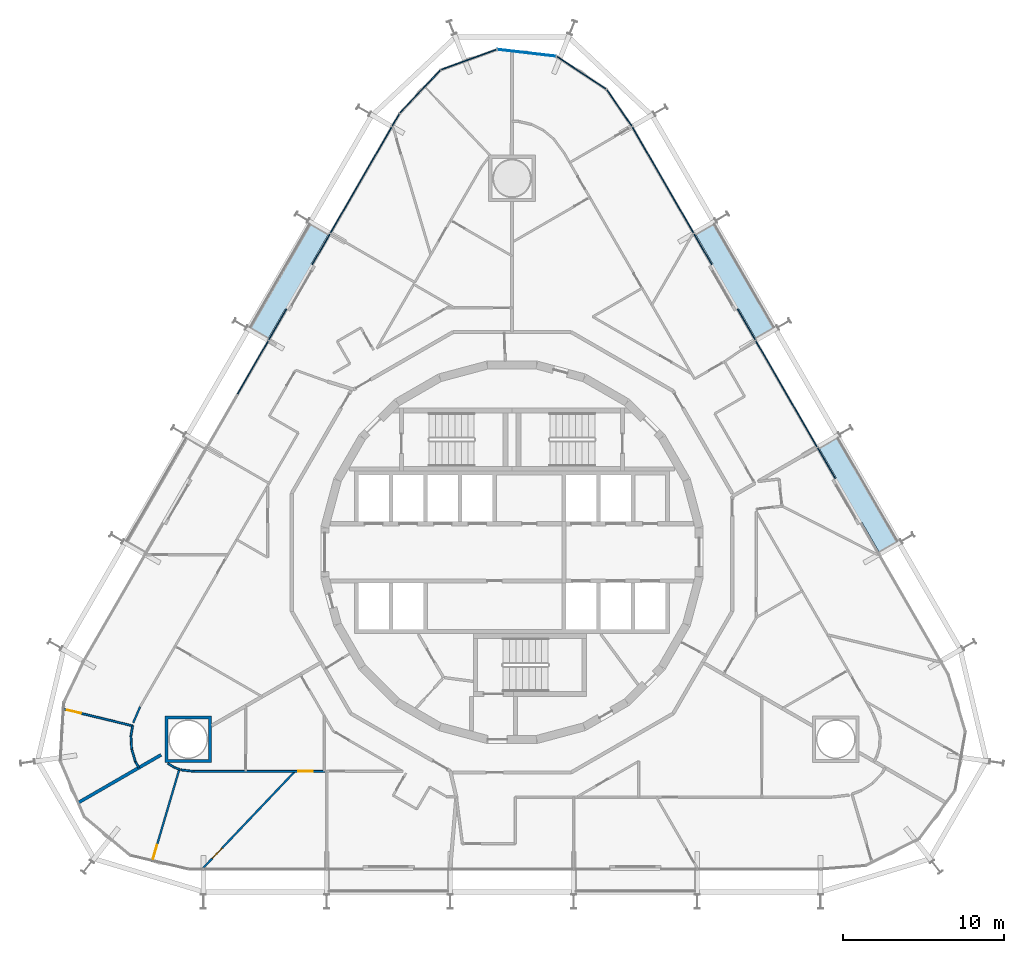
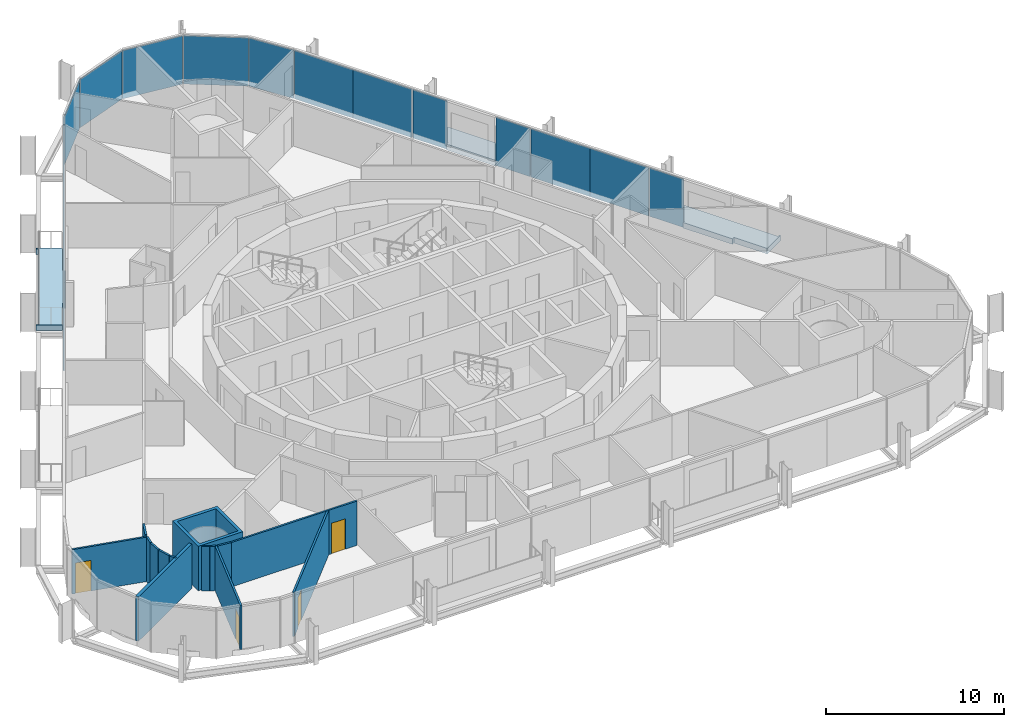
# One storey, part 12 of 20: 18 plates, 14 walls, 4 doors, 3 slabs, 4 openings, 3 elements without a shape of their own.
"""IFC4 building model written with IfcOpenShell, lengths in metres."""

from ifc_helpers import new_model, si_unit, direction, frame, frame_2d, origin, origin_2d, place, context, subcontext, project, spatial, polyline, rectangle, outline, extrude, material, layer, layer_set, type_object, element, fill, aggregate, save


model = new_model("IFC4")

# Units and contexts
model_context = context("Model", 3, precision=1e-05, world=origin(), true_north=direction((0.0, 1.0)))
body_context = subcontext(model_context, "Body", "Model", "MODEL_VIEW")
ifc_project = project(units=[si_unit("LENGTHUNIT", "METRE"), si_unit("AREAUNIT", "SQUARE_METRE"), si_unit("VOLUMEUNIT", "CUBIC_METRE"), si_unit("PLANEANGLEUNIT", "RADIAN"), si_unit("MASSUNIT", "GRAM", prefix="KILO")], contexts=[model_context])

# Site, building, storey
site_placement = place(None, origin())
site = spatial("IfcSite", under=ifc_project, at=site_placement, CompositionType="ELEMENT")
building_placement = place(site_placement, origin())
building = spatial("IfcBuilding", under=site, at=building_placement, Name="Spindle Arch Residences", CompositionType="ELEMENT")
storey_placement = place(building_placement, frame((0.0, 0.0, 66.39990234375)))
storey = spatial("IfcBuildingStorey", under=building, at=storey_placement, Name="L15", CompositionType="ELEMENT", Elevation=66.39990234375)

# Slabs
ifc_material_1 = material(Name="Concrete C40/50", Category="concrete")
ifc_layer_1 = layer(ifc_material_1, 0.3798828125)
ifc_layer_set_1 = layer_set([ifc_layer_1], Name="Balcony slab 380")
slab_type = type_object("IfcSlabType", Name="Balcony slab 380", PredefinedType="FLOOR", material=ifc_layer_set_1)
slab_1_placement = place(storey_placement, frame((0.0, 0.0, -0.3798828125)))
element("IfcSlab", 1, at=slab_1_placement, inside=storey, type_object=slab_type, Name="Balcony L15 bay 7", PredefinedType="FLOOR", context=body_context, shape_type="SweptSolid", body=[
    extrude(outline(polyline([(24.151611328125, 0.728271484375), (24.114013671875, 0.793212890625), (23.984130859375, 0.71826171875), (20.2939453125, 7.109375), (20.424072265625, 7.1845703125), (20.386474609375, 7.24951171875), (19.09619140625, 6.50439453125), (20.1787109375, 4.62939453125), (20.0400390625, 4.549560546875), (21.64013671875, 1.778076171875), (21.778564453125, 1.858154296875), (22.861083984375, -0.016845703125), (24.151611328125, 0.728271484375)])), origin(), (0.0, 0.0, 1.0), 0.3798828125),
])
slab_2_placement = place(storey_placement, frame((0.0, 0.0, -0.3798828125)))
element("IfcSlab", 2, at=slab_2_placement, inside=storey, type_object=slab_type, Name="Balcony L15 bay 9", PredefinedType="FLOOR", context=body_context, shape_type="SweptSolid", body=[
    extrude(outline(polyline([(16.471435546875, 14.030517578125), (16.433837890625, 14.095458984375), (16.303955078125, 14.0205078125), (12.614013671875, 20.411865234375), (12.743896484375, 20.48681640625), (12.706298828125, 20.5517578125), (11.416015625, 19.806640625), (12.49853515625, 17.931640625), (12.35986328125, 17.851806640625), (13.9599609375, 15.08056640625), (14.0986328125, 15.160400390625), (15.18115234375, 13.285400390625), (16.471435546875, 14.030517578125)])), origin(), (0.0, 0.0, 1.0), 0.3798828125),
])
slab_3_placement = place(storey_placement, frame((0.0, 0.0, -0.3798828125)))
element("IfcSlab", 3, at=slab_3_placement, inside=storey, type_object=slab_type, Name="Balcony L15 bay 15", PredefinedType="FLOOR", context=body_context, shape_type="SweptSolid", body=[
    extrude(outline(polyline([(-12.706298828125, 20.5517578125), (-12.743896484375, 20.48681640625), (-12.614013671875, 20.411865234375), (-16.303955078125, 14.0205078125), (-16.433837890625, 14.095458984375), (-16.471435546875, 14.030517578125), (-15.18115234375, 13.285400390625), (-14.0986328125, 15.160400390625), (-13.9599609375, 15.08056640625), (-12.35986328125, 17.851806640625), (-12.49853515625, 17.931640625), (-11.416015625, 19.806640625), (-12.706298828125, 20.5517578125)])), origin(), (0.0, 0.0, 1.0), 0.3798828125),
])

# Curtain wall, plates
ifc_material_2 = material(Name="Aluminium bronze unitised frame with tinted glass", Category="aluminium")
ifc_layer_2 = layer(ifc_material_2, 0.159912109375)
ifc_layer_set_2 = layer_set([ifc_layer_2], Name="CW-C typical residential unitised wall")
curtain_wall_type_1 = type_object("IfcCurtainWallType", Name="CW-C typical residential unitised wall", PredefinedType="NOTDEFINED", material=ifc_layer_set_2)
curtain_wall_1_placement = place(storey_placement, origin())
curtain_wall_1 = element("IfcCurtainWall", 4, at=curtain_wall_1_placement, inside=storey, type_object=curtain_wall_type_1, Name="CW-C L15 run 2", PredefinedType="NOTDEFINED")
ifc_material_3 = material(Name="Tinted double glazing over aluminium faced non-combustible spandrel zone (K0)", Category="aluminium")
ifc_layer_3 = layer(ifc_material_3, 0.06005859375)
ifc_layer_set_3 = layer_set([ifc_layer_3], Name="Unitised glass panel with E 60 spandrel zone")
plate_type = type_object("IfcPlateType", Name="Unitised glass panel with E 60 spandrel zone", PredefinedType="CURTAIN_PANEL", material=ifc_layer_set_3)
plate_1_placement = place(storey_placement, frame((19.556884765625, 5.54638671875, -0.3798828125), z_axis=(0.0, 0.0, 1.0), x_axis=(-0.5, 0.866025403784, 0.0)))
plate_1 = element("IfcPlate", 5, at=plate_1_placement, type_object=plate_type, Name="CW-C unit 06R", PredefinedType="CURTAIN_PANEL", context=body_context, shape_type="SweptSolid", body=[
    extrude(rectangle(XDim=2.2099609375, YDim=0.06005859375, at=origin_2d()), origin(), (0.0, 0.0, 1.0), 3.31005859375),
])
plate_2_placement = place(storey_placement, frame((18.021728515625, 8.205078125, -0.3798828125), z_axis=(0.0, 0.0, 1.0), x_axis=(-0.5, 0.866025403784, 0.0)))
plate_2 = element("IfcPlate", 6, at=plate_2_placement, type_object=plate_type, Name="CW-C unit 07A", PredefinedType="CURTAIN_PANEL", context=body_context, shape_type="SweptSolid", body=[
    extrude(rectangle(XDim=3.81005859375, YDim=0.06005859375, at=origin_2d()), origin(), (0.0, 0.0, 1.0), 3.31005859375),
])
plate_3_placement = place(storey_placement, frame((16.11669921875, 11.504638671875, -0.3798828125), z_axis=(0.0, 0.0, 1.0), x_axis=(-0.5, 0.866025403784, 0.0)))
plate_3 = element("IfcPlate", 7, at=plate_3_placement, type_object=plate_type, Name="CW-C unit 07B", PredefinedType="CURTAIN_PANEL", context=body_context, shape_type="SweptSolid", body=[
    extrude(rectangle(XDim=3.81005859375, YDim=0.06005859375, at=origin_2d()), origin(), (0.0, 0.0, 1.0), 3.31005859375),
])
plate_4_placement = place(storey_placement, frame((14.581787109375, 14.16357421875, -0.3798828125), z_axis=(0.0, 0.0, 1.0), x_axis=(-0.5, 0.866025403784, 0.0)))
plate_4 = element("IfcPlate", 8, at=plate_4_placement, type_object=plate_type, Name="CW-C unit 08L", PredefinedType="CURTAIN_PANEL", context=body_context, shape_type="SweptSolid", body=[
    extrude(rectangle(XDim=2.2099609375, YDim=0.06005859375, at=origin_2d()), origin(), (0.0, 0.0, 1.0), 3.31005859375),
])
plate_5_placement = place(storey_placement, frame((11.876708984375, 18.8486328125, -0.3798828125), z_axis=(0.0, 0.0, 1.0), x_axis=(-0.5, 0.866025403784, 0.0)))
plate_5 = element("IfcPlate", 9, at=plate_5_placement, type_object=plate_type, Name="CW-C unit 08R", PredefinedType="CURTAIN_PANEL", context=body_context, shape_type="SweptSolid", body=[
    extrude(rectangle(XDim=2.2099609375, YDim=0.06005859375, at=origin_2d()), origin(), (0.0, 0.0, 1.0), 3.31005859375),
])
plate_6_placement = place(storey_placement, frame((10.341796875, 21.50732421875, -0.3798828125), z_axis=(0.0, 0.0, 1.0), x_axis=(-0.5, 0.866025403784, 0.0)))
plate_6 = element("IfcPlate", 10, at=plate_6_placement, type_object=plate_type, Name="CW-C unit 09A", PredefinedType="CURTAIN_PANEL", context=body_context, shape_type="SweptSolid", body=[
    extrude(rectangle(XDim=3.81005859375, YDim=0.06005859375, at=origin_2d()), origin(), (0.0, 0.0, 1.0), 3.31005859375),
])
plate_7_placement = place(storey_placement, frame((8.436767578125, 24.80712890625, -0.3798828125), z_axis=(0.0, 0.0, 1.0), x_axis=(-0.5, 0.866025403784, 0.0)))
plate_7 = element("IfcPlate", 11, at=plate_7_placement, type_object=plate_type, Name="CW-C unit 09B", PredefinedType="CURTAIN_PANEL", context=body_context, shape_type="SweptSolid", body=[
    extrude(rectangle(XDim=3.81005859375, YDim=0.06005859375, at=origin_2d()), origin(), (0.0, 0.0, 1.0), 3.31005859375),
])
aggregate(curtain_wall_1, [plate_1, plate_2, plate_3, plate_4, plate_5, plate_6, plate_7])

ifc_material_4 = material(Name="Aluminium bronze unitised frame with tinted glass", Category="aluminium")
ifc_layer_4 = layer(ifc_material_4, 0.159912109375)
ifc_layer_set_4 = layer_set([ifc_layer_4], Name="CW-D corner wall on the fillet arcs")
curtain_wall_type_2 = type_object("IfcCurtainWallType", Name="CW-D corner wall on the fillet arcs", PredefinedType="NOTDEFINED", material=ifc_layer_set_4)
curtain_wall_2_placement = place(storey_placement, origin())
curtain_wall_2 = element("IfcCurtainWall", 12, at=curtain_wall_2_placement, inside=storey, type_object=curtain_wall_type_2, Name="CW-D L15 run 3", PredefinedType="NOTDEFINED")
plate_8_placement = place(storey_placement, frame((6.673095703125, 27.643798828125, -0.3798828125), z_axis=(0.0, 0.0, 1.0), x_axis=(-0.565500718711, 0.824747802142, 0.0)))
plate_8 = element("IfcPlate", 13, at=plate_8_placement, type_object=plate_type, Name="CW-D unit 00", PredefinedType="CURTAIN_PANEL", context=body_context, shape_type="SweptSolid", body=[
    extrude(rectangle(XDim=2.755126953125, YDim=0.06005859375, at=origin_2d()), origin(), (0.0, 0.0, 1.0), 3.31005859375),
])
plate_9_placement = place(storey_placement, frame((4.3203125, 29.82861328125, -0.3798828125), z_axis=(0.0, 0.0, 1.0), x_axis=(-0.835487811704, 0.549508977628, 0.0)))
plate_9 = element("IfcPlate", 14, at=plate_9_placement, type_object=plate_type, Name="CW-D unit 01", PredefinedType="CURTAIN_PANEL", context=body_context, shape_type="SweptSolid", body=[
    extrude(rectangle(XDim=3.666748046875, YDim=0.06005859375, at=origin_2d()), origin(), (0.0, 0.0, 1.0), 3.31005859375),
])
plate_10_placement = place(storey_placement, frame((0.912841796875, 31.06884765625, -0.3798828125), z_axis=(0.0, 0.0, 1.0), x_axis=(-0.993238357591, 0.116092915414, 0.0)))
plate_10 = element("IfcPlate", 15, at=plate_10_placement, type_object=plate_type, Name="CW-D unit 02", PredefinedType="CURTAIN_PANEL", context=body_context, shape_type="SweptSolid", body=[
    extrude(rectangle(XDim=3.666748046875, YDim=0.06005859375, at=origin_2d()), origin(), (0.0, 0.0, 1.0), 3.31005859375),
])
plate_11_placement = place(storey_placement, frame((-2.68896484375, 30.64794921875, -0.3798828125), z_axis=(0.0, 0.0, 1.0), x_axis=(-0.939692621437, -0.342020141538, 0.0)))
plate_11 = element("IfcPlate", 16, at=plate_11_placement, type_object=plate_type, Name="CW-D unit 03", PredefinedType="CURTAIN_PANEL", context=body_context, shape_type="SweptSolid", body=[
    extrude(rectangle(XDim=3.666748046875, YDim=0.06005859375, at=origin_2d()), origin(), (0.0, 0.0, 1.0), 3.31005859375),
])
plate_12_placement = place(storey_placement, frame((-5.71875, 28.6552734375, -0.3798828125), z_axis=(0.0, 0.0, 1.0), x_axis=(-0.686241639236, -0.727373640284, 0.0)))
plate_12 = element("IfcPlate", 17, at=plate_12_placement, type_object=plate_type, Name="CW-D unit 04", PredefinedType="CURTAIN_PANEL", context=body_context, shape_type="SweptSolid", body=[
    extrude(rectangle(XDim=3.666748046875, YDim=0.06005859375, at=origin_2d()), origin(), (0.0, 0.0, 1.0), 3.31005859375),
])
plate_13_placement = place(storey_placement, frame((-7.2333984375, 26.891357421875, -0.3798828125), z_axis=(0.0, 0.0, 1.0), x_axis=(-0.5, -0.866025403784, 0.0)))
plate_13 = element("IfcPlate", 18, at=plate_13_placement, type_object=plate_type, Name="CW-D unit 05", PredefinedType="CURTAIN_PANEL", context=body_context, shape_type="SweptSolid", body=[
    extrude(rectangle(XDim=0.88330078125, YDim=0.06005859375, at=origin_2d()), origin(), (0.0, 0.0, 1.0), 3.31005859375),
])
aggregate(curtain_wall_2, [plate_8, plate_9, plate_10, plate_11, plate_12, plate_13])

curtain_wall_3_placement = place(storey_placement, origin())
curtain_wall_3 = element("IfcCurtainWall", 19, at=curtain_wall_3_placement, inside=storey, type_object=curtain_wall_type_1, Name="CW-C L15 run 4", PredefinedType="NOTDEFINED")
plate_14_placement = place(storey_placement, frame((-8.436767578125, 24.80712890625, -0.3798828125), z_axis=(0.0, 0.0, 1.0), x_axis=(-0.5, -0.866025403784, 0.0)))
plate_14 = element("IfcPlate", 20, at=plate_14_placement, type_object=plate_type, Name="CW-C unit 13A", PredefinedType="CURTAIN_PANEL", context=body_context, shape_type="SweptSolid", body=[
    extrude(rectangle(XDim=3.81005859375, YDim=0.06005859375, at=origin_2d()), origin(), (0.0, 0.0, 1.0), 3.31005859375),
])
plate_15_placement = place(storey_placement, frame((-10.341796875, 21.50732421875, -0.3798828125), z_axis=(0.0, 0.0, 1.0), x_axis=(-0.5, -0.866025403784, 0.0)))
plate_15 = element("IfcPlate", 21, at=plate_15_placement, type_object=plate_type, Name="CW-C unit 13B", PredefinedType="CURTAIN_PANEL", context=body_context, shape_type="SweptSolid", body=[
    extrude(rectangle(XDim=3.81005859375, YDim=0.06005859375, at=origin_2d()), origin(), (0.0, 0.0, 1.0), 3.31005859375),
])
plate_16_placement = place(storey_placement, frame((-11.876708984375, 18.8486328125, -0.3798828125), z_axis=(0.0, 0.0, 1.0), x_axis=(-0.5, -0.866025403784, 0.0)))
plate_16 = element("IfcPlate", 22, at=plate_16_placement, type_object=plate_type, Name="CW-C unit 14L", PredefinedType="CURTAIN_PANEL", context=body_context, shape_type="SweptSolid", body=[
    extrude(rectangle(XDim=2.2099609375, YDim=0.06005859375, at=origin_2d()), origin(), (0.0, 0.0, 1.0), 3.31005859375),
])
plate_17_placement = place(storey_placement, frame((-14.581787109375, 14.16357421875, -0.3798828125), z_axis=(0.0, 0.0, 1.0), x_axis=(-0.5, -0.866025403784, 0.0)))
plate_17 = element("IfcPlate", 23, at=plate_17_placement, type_object=plate_type, Name="CW-C unit 14R", PredefinedType="CURTAIN_PANEL", context=body_context, shape_type="SweptSolid", body=[
    extrude(rectangle(XDim=2.2099609375, YDim=0.06005859375, at=origin_2d()), origin(), (0.0, 0.0, 1.0), 3.31005859375),
])
plate_18_placement = place(storey_placement, frame((-16.11669921875, 11.504638671875, -0.3798828125), z_axis=(0.0, 0.0, 1.0), x_axis=(-0.5, -0.866025403784, 0.0)))
plate_18 = element("IfcPlate", 24, at=plate_18_placement, type_object=plate_type, Name="CW-C unit 15A", PredefinedType="CURTAIN_PANEL", context=body_context, shape_type="SweptSolid", body=[
    extrude(rectangle(XDim=3.81005859375, YDim=0.06005859375, at=origin_2d()), origin(), (0.0, 0.0, 1.0), 3.31005859375),
])
aggregate(curtain_wall_3, [plate_14, plate_15, plate_16, plate_17, plate_18])

# Wall
ifc_material_5 = material(Name="Plasterboard on steel studs", Category="steel")
ifc_layer_5 = layer(ifc_material_5, 0.1201171875)
ifc_layer_set_5 = layer_set([ifc_layer_5], Name="Flat partition 120")
wall_type_1 = type_object("IfcWallType", Name="Flat partition 120", PredefinedType="PARTITIONING", material=ifc_layer_set_5)
wall_1_placement = place(storey_placement, frame((-23.563720703125, -10.60595703125, 0.0), z_axis=(0.0, 0.0, 1.0), x_axis=(0.396195073027, 0.918166359713, 0.0)))
element("IfcWall", 25, at=wall_1_placement, inside=storey, type_object=wall_type_1, Name="Flat partition R1C0-W073", PredefinedType="PARTITIONING", context=body_context, shape_type="SweptSolid", body=[
    extrude(rectangle(XDim=1.0869140625, YDim=0.1201171875, at=frame_2d((0.54345703125, 0.0))), origin(), (0.0, 0.0, 1.0), 3.050048828125),
])

# Wall, opening, door
wall_2_placement = place(storey_placement, frame((-27.8828125, -9.76220703125, 0.0), z_axis=(0.0, 0.0, 1.0), x_axis=(0.972097015458, -0.234579181809, 0.0)))
wall_2 = element("IfcWall", 26, at=wall_2_placement, inside=storey, type_object=wall_type_1, Name="Flat partition R1C0-W074", PredefinedType="PARTITIONING", context=body_context, shape_type="SweptSolid", body=[
    extrude(rectangle(XDim=4.40869140625, YDim=0.1201171875, at=frame_2d((2.204345703125, 0.0))), origin(), (0.0, 0.0, 1.0), 3.050048828125),
])
opening_1_placement = place(wall_2_placement, frame((0.199951171875, 0.0, 0.0)))
opening_1 = element("IfcOpeningElement", 27, at=opening_1_placement, cuts=wall_2, Name="Opening R1C0-ID16", PredefinedType="OPENING", context=body_context, shape_type="SweptSolid", body=[
    extrude(rectangle(XDim=0.89990234375, YDim=2.10009765625, at=frame_2d((0.449951171875, 1.050048828125))), frame((0.0, 0.070068359375, 0.0), z_axis=(0.0, -1.0, 0.0), x_axis=(1.0, 0.0, 0.0)), (0.0, 0.0, 1.0), 0.14013671875),
])
ifc_material_6 = material(Name="Timber door set", Category="wood")
door_type = type_object("IfcDoorType", Name="Room door 900x2100", OperationType="NOTDEFINED", PredefinedType="DOOR", material=ifc_material_6)
door_1_placement = place(opening_1_placement, origin())
door_1 = element("IfcDoor", 28, at=door_1_placement, inside=storey, type_object=door_type, Name="Room door R1C0-ID16", OperationType="SINGLE_SWING_RIGHT", OverallHeight=2.10009765625, OverallWidth=0.89990234375, PredefinedType="DOOR", context=body_context, shape_type="SweptSolid", body=[
    extrude(rectangle(XDim=0.89990234375, YDim=2.10009765625, at=frame_2d((0.449951171875, 1.050048828125))), frame((0.0, 0.02490234375, 0.0), z_axis=(0.0, -1.0, 0.0), x_axis=(1.0, 0.0, 0.0)), (0.0, 0.0, 1.0), 0.050048828125),
])
fill(opening_1, door_1)

# Walls
wall_3_placement = place(storey_placement, frame((-23.59716796875, -10.79638671875, 0.0), z_axis=(0.0, 0.0, 1.0), x_axis=(-0.173610040386, -0.984814476882, 0.0)))
element("IfcWall", 29, at=wall_3_placement, inside=storey, type_object=wall_type_1, Name="Flat partition R1C0-W075", PredefinedType="PARTITIONING", context=body_context, shape_type="SweptSolid", body=[
    extrude(rectangle(XDim=0.6357421875, YDim=0.1201171875, at=frame_2d((0.31787109375, 0.0))), origin(), (0.0, 0.0, 1.0), 3.050048828125),
])
wall_4_placement = place(storey_placement, frame((-23.70751953125, -11.42236328125, 0.0), z_axis=(0.0, 0.0, 1.0), x_axis=(0.058031280246, -0.998314765248, 0.0)))
element("IfcWall", 30, at=wall_4_placement, inside=storey, type_object=wall_type_1, Name="Flat partition R1C0-W076", PredefinedType="PARTITIONING", context=body_context, shape_type="SweptSolid", body=[
    extrude(rectangle(XDim=0.828857421875, YDim=0.1201171875, at=frame_2d((0.41455078125, 0.0))), origin(), (0.0, 0.0, 1.0), 3.050048828125),
])
wall_5_placement = place(storey_placement, frame((-23.659423828125, -12.249755859375, 0.0), z_axis=(0.0, 0.0, 1.0), x_axis=(0.286834510868, -0.957980147694, 0.0)))
element("IfcWall", 31, at=wall_5_placement, inside=storey, type_object=wall_type_1, Name="Flat partition R1C0-W077", PredefinedType="PARTITIONING", context=body_context, shape_type="SweptSolid", body=[
    extrude(rectangle(XDim=0.8291015625, YDim=0.1201171875, at=frame_2d((0.41455078125, 0.0))), origin(), (0.0, 0.0, 1.0), 3.050048828125),
])
wall_6_placement = place(storey_placement, frame((-23.421630859375, -13.0439453125, 0.0), z_axis=(0.0, 0.0, 1.0), x_axis=(0.50013037474, -0.865950118807, 0.0)))
element("IfcWall", 32, at=wall_6_placement, inside=storey, type_object=wall_type_1, Name="Flat partition R1C0-W078", PredefinedType="PARTITIONING", context=body_context, shape_type="SweptSolid", body=[
    extrude(rectangle(XDim=0.41455078125, YDim=0.1201171875, at=frame_2d((0.207275390625, 0.0))), origin(), (0.0, 0.0, 1.0), 3.050048828125),
])
wall_7_placement = place(storey_placement, frame((-20.657470703125, -13.513671875, 0.0), z_axis=(0.0, 0.0, 1.0), x_axis=(-0.939665068469, 0.34209583321, 0.0)))
element("IfcWall", 33, at=wall_7_placement, inside=storey, type_object=wall_type_1, Name="Flat partition R1C0-W086", PredefinedType="PARTITIONING", context=body_context, shape_type="SweptSolid", body=[
    extrude(rectangle(XDim=0.388916015625, YDim=0.1201171875, at=frame_2d((0.1943359375, 0.0))), origin(), (0.0, 0.0, 1.0), 3.050048828125),
])
wall_8_placement = place(storey_placement, frame((-21.02294921875, -13.380615234375, 0.0), z_axis=(0.0, 0.0, 1.0), x_axis=(-0.835339231854, 0.549734815821, 0.0)))
element("IfcWall", 34, at=wall_8_placement, inside=storey, type_object=wall_type_1, Name="Flat partition R1C0-W087", PredefinedType="PARTITIONING", context=body_context, shape_type="SweptSolid", body=[
    extrude(rectangle(XDim=0.454833984375, YDim=0.1201171875, at=frame_2d((0.2275390625, 0.0))), origin(), (0.0, 0.0, 1.0), 3.050048828125),
])

# Wall, opening, door
wall_9_placement = place(storey_placement, frame((-22.395751953125, -19.26611328125, 0.0), z_axis=(0.0, 0.0, 1.0), x_axis=(0.282896205585, 0.959150528783, 0.0)))
wall_9 = element("IfcWall", 35, at=wall_9_placement, inside=storey, type_object=wall_type_1, Name="Flat partition R1C0-W088", PredefinedType="PARTITIONING", context=body_context, shape_type="SweptSolid", body=[
    extrude(rectangle(XDim=6.01171875, YDim=0.1201171875, at=frame_2d((3.005859375, 0.0))), origin(), (0.0, 0.0, 1.0), 3.050048828125),
])
opening_2_placement = place(wall_9_placement, frame((0.199951171875, 0.0, 0.0)))
opening_2 = element("IfcOpeningElement", 36, at=opening_2_placement, cuts=wall_9, Name="Opening R1C0-ID22", PredefinedType="OPENING", context=body_context, shape_type="SweptSolid", body=[
    extrude(rectangle(XDim=0.89990234375, YDim=2.10009765625, at=frame_2d((0.449951171875, 1.050048828125))), frame((0.0, 0.070068359375, 0.0), z_axis=(0.0, -1.0, 0.0), x_axis=(1.0, 0.0, 0.0)), (0.0, 0.0, 1.0), 0.14013671875),
])
door_2_placement = place(opening_2_placement, origin())
door_2 = element("IfcDoor", 37, at=door_2_placement, inside=storey, type_object=door_type, Name="Room door R1C0-ID22", OperationType="SINGLE_SWING_LEFT", OverallHeight=2.10009765625, OverallWidth=0.89990234375, PredefinedType="DOOR", context=body_context, shape_type="SweptSolid", body=[
    extrude(rectangle(XDim=0.89990234375, YDim=2.10009765625, at=frame_2d((0.449951171875, 1.050048828125))), frame((0.0, 0.02490234375, 0.0), z_axis=(0.0, -1.0, 0.0), x_axis=(1.0, 0.0, 0.0)), (0.0, 0.0, 1.0), 0.050048828125),
])
fill(opening_2, door_2)

# Wall
wall_10_placement = place(storey_placement, frame((-20.595458984375, -13.536376953125, 0.0), z_axis=(0.0, 0.0, 1.0), x_axis=(0.993259655268, -0.115910556968, 0.0)))
element("IfcWall", 38, at=wall_10_placement, inside=storey, type_object=wall_type_1, Name="Flat partition R1C0-W090", PredefinedType="PARTITIONING", context=body_context, shape_type="SweptSolid", body=[
    extrude(rectangle(XDim=0.806640625, YDim=0.1201171875, at=frame_2d((0.4033203125, 0.0))), origin(), (0.0, 0.0, 1.0), 3.050048828125),
])

# Wall, opening, door
wall_11_placement = place(storey_placement, frame((-19.794189453125, -13.6298828125, 0.0), z_axis=(0.0, 0.0, 1.0), x_axis=(1.0, 0.0, 0.0)))
wall_11 = element("IfcWall", 39, at=wall_11_placement, inside=storey, type_object=wall_type_1, Name="Flat partition R1C0-W091", PredefinedType="PARTITIONING", context=body_context, shape_type="SweptSolid", body=[
    extrude(rectangle(XDim=8.15576171875, YDim=0.1201171875, at=frame_2d((4.077880859375, 0.0))), origin(), (0.0, 0.0, 1.0), 3.050048828125),
])
opening_3_placement = place(wall_11_placement, frame((6.49072265625, 0.0, 0.0)))
opening_3 = element("IfcOpeningElement", 40, at=opening_3_placement, cuts=wall_11, Name="Opening R1C0-ID20", PredefinedType="OPENING", context=body_context, shape_type="SweptSolid", body=[
    extrude(rectangle(XDim=0.89990234375, YDim=2.10009765625, at=frame_2d((0.449951171875, 1.050048828125))), frame((0.0, 0.070068359375, 0.0), z_axis=(0.0, -1.0, 0.0), x_axis=(1.0, 0.0, 0.0)), (0.0, 0.0, 1.0), 0.14013671875),
])
door_3_placement = place(opening_3_placement, origin())
door_3 = element("IfcDoor", 41, at=door_3_placement, inside=storey, type_object=door_type, Name="Room door R1C0-ID20", OperationType="SINGLE_SWING_LEFT", OverallHeight=2.10009765625, OverallWidth=0.89990234375, PredefinedType="DOOR", context=body_context, shape_type="SweptSolid", body=[
    extrude(rectangle(XDim=0.89990234375, YDim=2.10009765625, at=frame_2d((0.449951171875, 1.050048828125))), frame((0.0, 0.02490234375, 0.0), z_axis=(0.0, -1.0, 0.0), x_axis=(1.0, 0.0, 0.0)), (0.0, 0.0, 1.0), 0.050048828125),
])
fill(opening_3, door_3)

wall_12_placement = place(storey_placement, frame((-19.2001953125, -19.6298828125, 0.0), z_axis=(0.0, 0.0, 1.0), x_axis=(0.688544699396, 0.72519390299, 0.0)))
wall_12 = element("IfcWall", 42, at=wall_12_placement, inside=storey, type_object=wall_type_1, Name="Flat partition R1C0-W093", PredefinedType="PARTITIONING", context=body_context, shape_type="SweptSolid", body=[
    extrude(rectangle(XDim=8.273681640625, YDim=0.1201171875, at=frame_2d((4.13671875, 0.0))), origin(), (0.0, 0.0, 1.0), 3.050048828125),
])
opening_4_placement = place(wall_12_placement, frame((0.800048828125, 0.0, 0.0)))
opening_4 = element("IfcOpeningElement", 43, at=opening_4_placement, cuts=wall_12, Name="Opening R1C0-ID21", PredefinedType="OPENING", context=body_context, shape_type="SweptSolid", body=[
    extrude(rectangle(XDim=0.89990234375, YDim=2.10009765625, at=frame_2d((0.449951171875, 1.050048828125))), frame((0.0, 0.070068359375, 0.0), z_axis=(0.0, -1.0, 0.0), x_axis=(1.0, 0.0, 0.0)), (0.0, 0.0, 1.0), 0.14013671875),
])
door_4_placement = place(opening_4_placement, origin())
door_4 = element("IfcDoor", 44, at=door_4_placement, inside=storey, type_object=door_type, Name="Room door R1C0-ID21", OperationType="SINGLE_SWING_LEFT", OverallHeight=2.10009765625, OverallWidth=0.89990234375, PredefinedType="DOOR", context=body_context, shape_type="SweptSolid", body=[
    extrude(rectangle(XDim=0.89990234375, YDim=2.10009765625, at=frame_2d((0.449951171875, 1.050048828125))), frame((0.0, 0.02490234375, 0.0), z_axis=(0.0, -1.0, 0.0), x_axis=(1.0, 0.0, 0.0)), (0.0, 0.0, 1.0), 0.050048828125),
])
fill(opening_4, door_4)

# Walls
ifc_material_7 = material(Name="Calcium silicate block, plastered")
ifc_layer_6 = layer(ifc_material_7, 0.199951171875)
ifc_layer_set_6 = layer_set([ifc_layer_6], Name="Flat party wall 200")
wall_type_2 = type_object("IfcWallType", Name="Flat party wall 200", PredefinedType="STANDARD", material=ifc_layer_set_6)
wall_13_placement = place(storey_placement, frame((-27.02490234375, -15.602783203125, 0.0), z_axis=(0.0, 0.0, 1.0), x_axis=(0.866020924479, 0.500007758305, 0.0)))
element("IfcWall", 45, at=wall_13_placement, inside=storey, type_object=wall_type_2, Name="Flat party wall R1C0-W025", PredefinedType="STANDARD", context=body_context, shape_type="SweptSolid", body=[
    extrude(rectangle(XDim=6.0, YDim=0.199951171875, at=frame_2d((3.0, 0.0))), origin(), (0.0, 0.0, 1.0), 3.050048828125),
])
ifc_material_8 = material(Name="Calcium silicate block, plastered")
ifc_layer_7 = layer(ifc_material_8, 0.199951171875)
ifc_layer_set_7 = layer_set([ifc_layer_7], Name="Mega-column casing wall 200")
wall_type_3 = type_object("IfcWallType", Name="Mega-column casing wall 200", PredefinedType="STANDARD", material=ifc_layer_set_7)
wall_14_placement = place(storey_placement, origin())
element("IfcWall", 46, at=wall_14_placement, inside=storey, type_object=wall_type_3, Name="Mega-column casing wall R1C0-WC02", PredefinedType="STANDARD", context=body_context, shape_type="SweptSolid", body=[
    extrude(outline(polyline([(-18.693603515625, -10.179931640625), (-18.693603515625, -13.079833984375), (-21.593505859375, -13.079833984375), (-21.593505859375, -10.179931640625), (-18.693603515625, -10.179931640625)]), holes=[polyline([(-21.3935546875, -12.8798828125), (-18.8935546875, -12.8798828125), (-18.8935546875, -10.3798828125), (-21.3935546875, -10.3798828125), (-21.3935546875, -12.8798828125)])]), origin(), (0.0, 0.0, 1.0), 3.050048828125),
])

save(model, "model.ifc")
